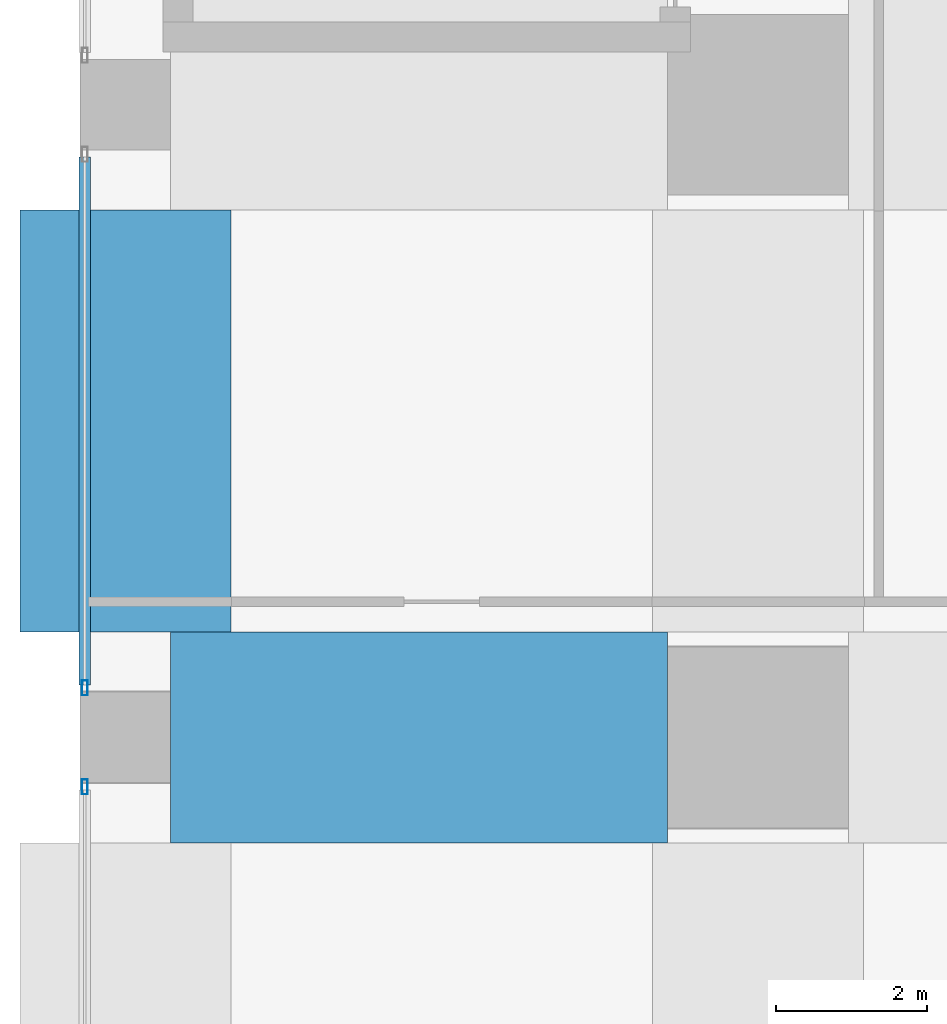
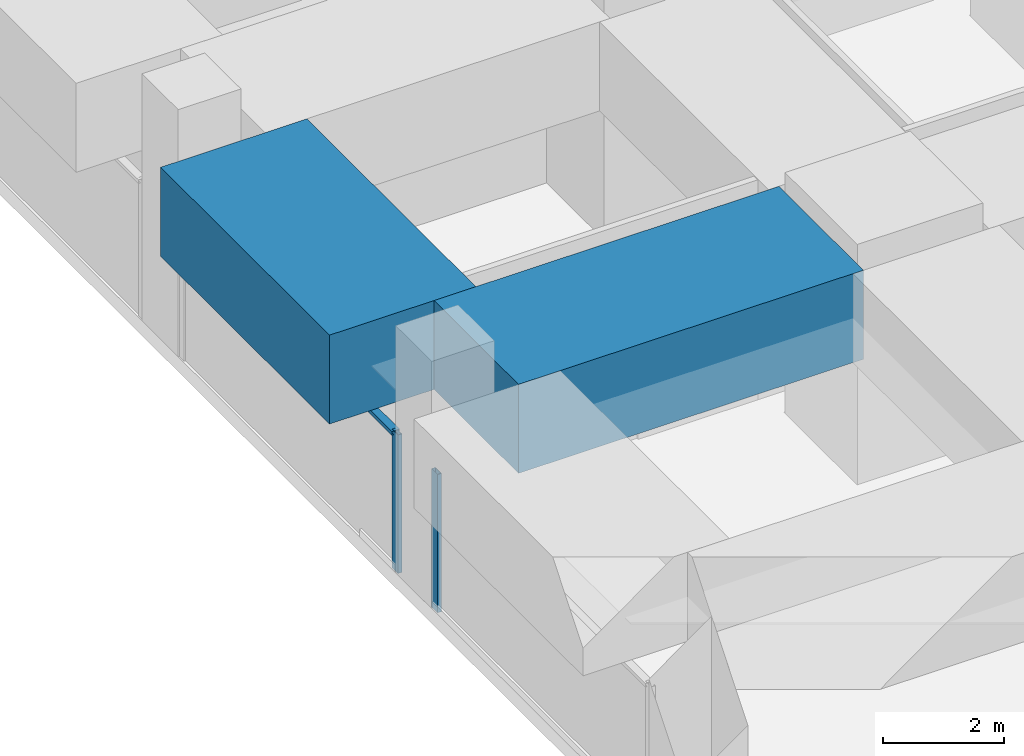
# One storey, part 9 of 52: 3 members, 2 beams, 2 elements without a shape of their own.
"""IFC4 building model written with IfcOpenShell, lengths in metres."""

from ifc_helpers import new_model, si_unit, direction, frame, origin, origin_2d, place, context, subcontext, project, spatial, rectangle, hollow_rectangle, extrude, material, material_profile, profile_set, type_object, element, aggregate, save


model = new_model("IFC4")

# Units and contexts
model_context = context("Model", 3, precision=1e-05, world=origin(), true_north=direction((0.0, 1.0)))
body_context = subcontext(model_context, "Body", "Model", "MODEL_VIEW")
ifc_project = project(units=[si_unit("LENGTHUNIT", "METRE"), si_unit("AREAUNIT", "SQUARE_METRE"), si_unit("VOLUMEUNIT", "CUBIC_METRE"), si_unit("PLANEANGLEUNIT", "RADIAN"), si_unit("MASSUNIT", "GRAM", prefix="KILO")], contexts=[model_context])

# Site, building, storey
site_placement = place(None, origin())
site = spatial("IfcSite", under=ifc_project, at=site_placement, CompositionType="ELEMENT")
building_placement = place(site_placement, origin())
building = spatial("IfcBuilding", under=site, at=building_placement, Name="Rekha Terrace Tower", CompositionType="ELEMENT")
storey_placement = place(building_placement, frame((0.0, 0.0, 20.39990234375)))
storey = spatial("IfcBuildingStorey", under=building, at=storey_placement, Name="L04", CompositionType="ELEMENT", Elevation=20.39990234375)

# Curtain wall, member
ifc_material_1 = material(Name="Aluminium framing", Category="aluminium")
curtain_wall_type = type_object("IfcCurtainWallType", Name="CW4 podium shopfront glazing", PredefinedType="USERDEFINED", material=ifc_material_1)
curtain_wall_1_placement = place(storey_placement, origin())
curtain_wall_1 = element("IfcCurtainWall", 1, at=curtain_wall_1_placement, inside=storey, type_object=curtain_wall_type, Name="CW4 shopfront curtain wall", ObjectType="SHOPFRONT CURTAIN WALL", PredefinedType="USERDEFINED")
ifc_material_2 = material(Name="Aluminium mullion section", Category="aluminium")
ifc_material_profile_1 = material_profile(ifc_material_2, hollow_rectangle(XDim=0.074951171875, YDim=0.199951171875, WallThickness=0.00390625, at=origin_2d()), Name="AL RHS 75x200")
ifc_profile_set_1 = profile_set([ifc_material_profile_1], Name="Aluminium mullion section")
member_type_1 = type_object("IfcMemberType", Name="CW4 mullion RHS 75 x 200", PredefinedType="MULLION", material=ifc_profile_set_1)
member_1_placement = place(storey_placement, frame((-0.5400390625, 17.45751953125, 0.0), z_axis=(0.0, 0.0, 1.0), x_axis=(1.0, 0.0, 0.0)))
member_1 = element("IfcMember", 2, at=member_1_placement, type_object=member_type_1, Name="CW4 mullion 2", PredefinedType="MULLION", context=body_context, shape_type="SweptSolid", body=[
    extrude(hollow_rectangle(XDim=0.074951171875, YDim=0.199951171875, WallThickness=0.00390625, at=origin_2d()), origin(), (0.0, 0.0, 1.0), 2.800048828125),
])

curtain_wall_2_placement = place(storey_placement, origin())
curtain_wall_2 = element("IfcCurtainWall", 3, at=curtain_wall_2_placement, inside=storey, type_object=curtain_wall_type, Name="CW4 shopfront curtain wall", ObjectType="SHOPFRONT CURTAIN WALL", PredefinedType="USERDEFINED")
member_2_placement = place(storey_placement, frame((-0.5400390625, 16.142578125, 0.0), z_axis=(0.0, 0.0, 1.0), x_axis=(1.0, 0.0, 0.0)))
member_2 = element("IfcMember", 4, at=member_2_placement, type_object=member_type_1, Name="CW4 mullion 1", PredefinedType="MULLION", context=body_context, shape_type="SweptSolid", body=[
    extrude(hollow_rectangle(XDim=0.074951171875, YDim=0.199951171875, WallThickness=0.00390625, at=origin_2d()), origin(), (0.0, 0.0, 1.0), 2.800048828125),
])
aggregate(curtain_wall_2, [member_2])

# Member
ifc_material_3 = material(Name="Aluminium transom section", Category="aluminium")
ifc_material_profile_2 = material_profile(ifc_material_3, hollow_rectangle(XDim=0.14990234375, YDim=0.074951171875, WallThickness=0.0029296875, at=origin_2d()), Name="AL RHS 150x75")
ifc_profile_set_2 = profile_set([ifc_material_profile_2], Name="Aluminium transom section")
member_type_2 = type_object("IfcMemberType", Name="CW4 transom RHS 75 x 150", PredefinedType="USERDEFINED", material=ifc_profile_set_2)
member_3_placement = place(storey_placement, frame((-0.5400390625, 24.5048828125, 2.7626953125), z_axis=(0.0, -1.0, 0.0), x_axis=(1.0, 0.0, 0.0)))
member_3 = element("IfcMember", 5, at=member_3_placement, type_object=member_type_2, Name="CW4 transom 1.2", ObjectType="TRANSOM", PredefinedType="USERDEFINED", context=body_context, shape_type="SweptSolid", body=[
    extrude(hollow_rectangle(XDim=0.14990234375, YDim=0.074951171875, WallThickness=0.0029296875, at=origin_2d()), origin(), (0.0, 0.0, 1.0), 7.009765625),
])

aggregate(curtain_wall_1, [member_1, member_3])

# Beams
ifc_material_4 = material(Name="Concrete M70", Category="concrete")
ifc_material_profile_3 = material_profile(ifc_material_4, rectangle(XDim=2.800048828125, YDim=1.800048828125, at=origin_2d()), Name="RC 2800x1800")
ifc_profile_set_3 = profile_set([ifc_material_profile_3], Name="Concrete M70")
beam_type = type_object("IfcBeamType", Name="G2 2800x1800 podium roof band beam", PredefinedType="BEAM", material=ifc_profile_set_3)
beam_1_placement = place(storey_placement, frame((0.60009765625, 16.800048828125, 3.7001953125), z_axis=(1.0, 0.0, 0.0), x_axis=(0.0, 1.0, 0.0)))
element("IfcBeam", 6, at=beam_1_placement, inside=storey, type_object=beam_type, Name="Beam G2 1C-2C under L05", PredefinedType="BEAM", context=body_context, shape_type="SweptSolid", body=[
    extrude(rectangle(XDim=2.800048828125, YDim=1.800048828125, at=origin_2d()), origin(), (0.0, 0.0, 1.0), 6.599853515625),
])
beam_2_placement = place(storey_placement, frame((0.0, 18.199951171875, 3.7001953125), z_axis=(0.0, 1.0, 0.0), x_axis=(-1.0, 0.0, 0.0)))
element("IfcBeam", 7, at=beam_2_placement, inside=storey, type_object=beam_type, Name="Beam G2 1C-1D under L05", PredefinedType="BEAM", context=body_context, shape_type="SweptSolid", body=[
    extrude(rectangle(XDim=2.800048828125, YDim=1.800048828125, at=origin_2d()), origin(), (0.0, 0.0, 1.0), 5.60009765625),
])

save(model, "model.ifc")
